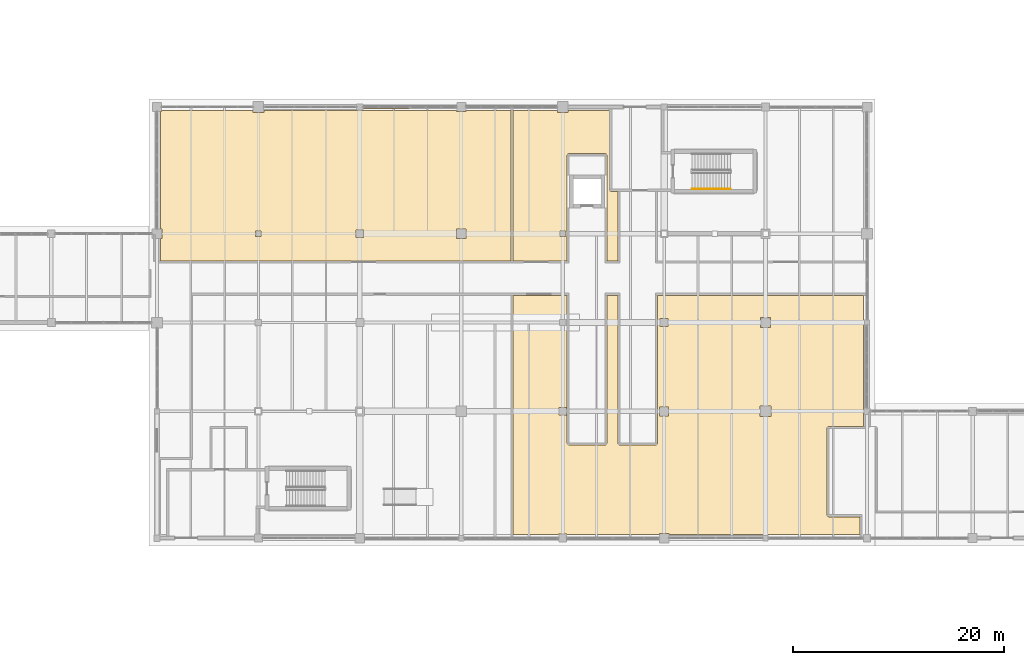
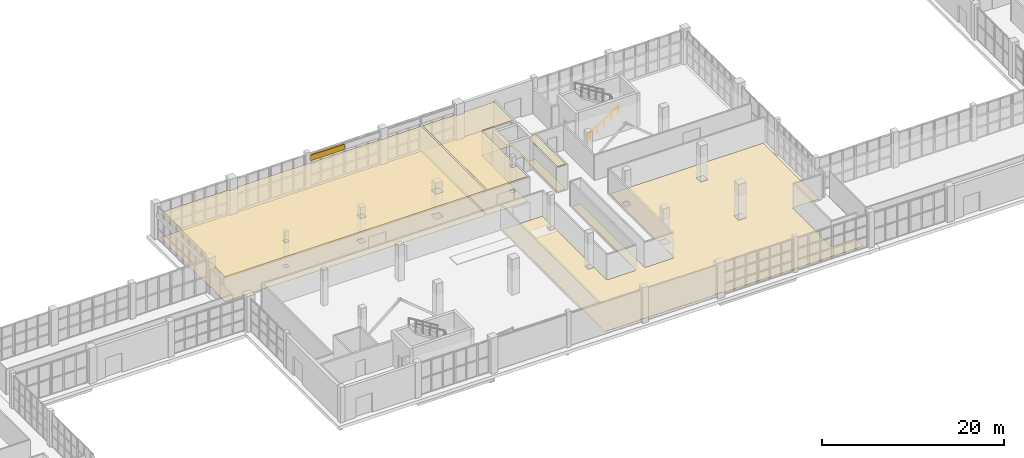
# One storey, part 112 of 121: 6 coverings, 1 railing.
"""IFC4 building model written with IfcOpenShell, lengths in metres."""

from ifc_helpers import new_model, si_unit, direction, frame, origin, origin_2d, place, context, subcontext, project, spatial, polyline, rectangle, circle, outline, extrude, material, layer, layer_set, type_object, element, save


model = new_model("IFC4")

# Units and contexts
model_context = context("Model", 3, precision=1e-05, world=origin(), true_north=direction((0.0, 1.0)))
body_context = subcontext(model_context, "Body", "Model", "MODEL_VIEW")
ifc_project = project(units=[si_unit("LENGTHUNIT", "METRE"), si_unit("AREAUNIT", "SQUARE_METRE"), si_unit("VOLUMEUNIT", "CUBIC_METRE"), si_unit("PLANEANGLEUNIT", "RADIAN"), si_unit("MASSUNIT", "GRAM", prefix="KILO")], contexts=[model_context])

# Site, building, storey
site_placement = place(None, origin())
site = spatial("IfcSite", under=ifc_project, at=site_placement, CompositionType="ELEMENT")
building_placement = place(site_placement, origin())
building = spatial("IfcBuilding", under=site, at=building_placement, Name="Zereglee Splitstone Museum", CompositionType="ELEMENT")
storey_placement = place(building_placement, origin())
storey = spatial("IfcBuildingStorey", under=building, at=storey_placement, Name="L00", CompositionType="ELEMENT", Elevation=0.0)

# Coverings
ifc_material_1 = material(Name="Siberian larch acoustic timber ceiling", Category="wood")
ifc_layer_1 = layer(ifc_material_1, 0.06005859375)
ifc_layer_set_1 = layer_set([ifc_layer_1], Name="Siberian larch acoustic timber ceiling")
covering_type_1 = type_object("IfcCoveringType", Name="CLG-01", PredefinedType="CEILING", material=ifc_layer_set_1)
covering_1_placement = place(storey_placement, frame((0.0, 0.0, 3.320068359375)))
element("IfcCovering", 1, at=covering_1_placement, inside=storey, type_object=covering_type_1, Name="Acoustic Ceiling L00-006", PredefinedType="CEILING", context=body_context, shape_type="SweptSolid", body=[
    extrude(outline(polyline([(78.340087890625, 37.94189453125), (78.4580078125, 37.94189453125), (78.4580078125, 38.85791015625), (78.340087890625, 38.85791015625), (78.340087890625, 49.967041015625), (78.43310546875, 49.967041015625), (78.43310546875, 50.06005859375), (87.092041015625, 50.06005859375), (87.092041015625, 49.89208984375), (88.10791015625, 49.89208984375), (88.10791015625, 50.06005859375), (106.366943359375, 50.06005859375), (106.366943359375, 49.967041015625), (107.23291015625, 49.967041015625), (107.23291015625, 50.06005859375), (111.5, 50.06005859375), (111.5, 35.830078125), (78.340087890625, 35.830078125), (78.340087890625, 37.94189453125)]), holes=[polyline([(87.342041015625, 38.657958984375), (87.342041015625, 38.14208984375), (87.85791015625, 38.14208984375), (87.85791015625, 38.657958984375), (87.342041015625, 38.657958984375)]), polyline([(106.342041015625, 38.85791015625), (106.342041015625, 37.94189453125), (107.258056640625, 37.94189453125), (107.258056640625, 38.85791015625), (106.342041015625, 38.85791015625)]), polyline([(96.842041015625, 38.758056640625), (96.842041015625, 38.0419921875), (97.55810546875, 38.0419921875), (97.55810546875, 38.758056640625), (96.842041015625, 38.758056640625)])]), origin(), (0.0, 0.0, 1.0), 0.059814453125),
])
covering_2_placement = place(storey_placement, frame((0.0, 0.0, 3.320068359375)))
element("IfcCovering", 2, at=covering_2_placement, inside=storey, type_object=covering_type_1, Name="Acoustic Ceiling L00-008", PredefinedType="CEILING", context=body_context, shape_type="SweptSolid", body=[
    extrude(outline(polyline([(120.820068359375, 42.60009765625), (120.820068359375, 42.59912109375), (120.82080078125, 42.583251953125), (120.821044921875, 42.581298828125), (120.8232421875, 42.56591796875), (120.82373046875, 42.56396484375), (120.827392578125, 42.548583984375), (120.828125, 42.546875), (120.833251953125, 42.531982421875), (120.833984375, 42.5302734375), (120.8408203125, 42.51611328125), (120.841796875, 42.514404296875), (120.849853515625, 42.500732421875), (120.850830078125, 42.499267578125), (120.8603515625, 42.486572265625), (120.861572265625, 42.485107421875), (120.8720703125, 42.473388671875), (120.873291015625, 42.471923828125), (120.885009765625, 42.46142578125), (120.88671875, 42.460205078125), (120.899169921875, 42.450927734375), (120.90087890625, 42.44970703125), (120.914306640625, 42.441650390625), (120.916015625, 42.44091796875), (120.93017578125, 42.43408203125), (120.931884765625, 42.433349609375), (120.94677734375, 42.427978515625), (120.94873046875, 42.427490234375), (120.9638671875, 42.423583984375), (120.9658203125, 42.42333984375), (120.9814453125, 42.4208984375), (120.9833984375, 42.4208984375), (120.9990234375, 42.419921875), (121.0, 42.419921875), (121.6201171875, 42.419921875), (121.6201171875, 35.830078125), (120.580078125, 35.830078125), (120.580078125, 45.800048828125), (120.580078125, 45.801025390625), (120.5791015625, 45.816650390625), (120.5791015625, 45.818603515625), (120.57666015625, 45.833984375), (120.576416015625, 45.836181640625), (120.572509765625, 45.851318359375), (120.572021484375, 45.853271484375), (120.566650390625, 45.867919921875), (120.56591796875, 45.869873046875), (120.55908203125, 45.884033203125), (120.558349609375, 45.8857421875), (120.55029296875, 45.899169921875), (120.549072265625, 45.90087890625), (120.539794921875, 45.913330078125), (120.53857421875, 45.914794921875), (120.528076171875, 45.926513671875), (120.526611328125, 45.927978515625), (120.514892578125, 45.9384765625), (120.513427734375, 45.939697265625), (120.500732421875, 45.94921875), (120.499267578125, 45.9501953125), (120.485595703125, 45.958251953125), (120.48388671875, 45.959228515625), (120.4697265625, 45.9658203125), (120.468017578125, 45.966796875), (120.453125, 45.971923828125), (120.451416015625, 45.972412109375), (120.43603515625, 45.976318359375), (120.43408203125, 45.976806640625), (120.418701171875, 45.97900390625), (120.416748046875, 45.979248046875), (120.40087890625, 45.97998046875), (120.39990234375, 45.97998046875), (117.0, 45.97998046875), (116.9990234375, 45.97998046875), (116.9833984375, 45.979248046875), (116.9814453125, 45.97900390625), (116.9658203125, 45.976806640625), (116.9638671875, 45.976318359375), (116.94873046875, 45.972412109375), (116.94677734375, 45.971923828125), (116.931884765625, 45.966796875), (116.93017578125, 45.9658203125), (116.916015625, 45.959228515625), (116.914306640625, 45.958251953125), (116.90087890625, 45.9501953125), (116.899169921875, 45.94921875), (116.88671875, 45.939697265625), (116.885009765625, 45.9384765625), (116.873291015625, 45.927978515625), (116.8720703125, 45.926513671875), (116.861572265625, 45.914794921875), (116.8603515625, 45.913330078125), (116.850830078125, 45.90087890625), (116.849853515625, 45.899169921875), (116.841796875, 45.8857421875), (116.8408203125, 45.884033203125), (116.833984375, 45.869873046875), (116.833251953125, 45.867919921875), (116.828125, 45.853271484375), (116.827392578125, 45.851318359375), (116.82373046875, 45.836181640625), (116.8232421875, 45.833984375), (116.821044921875, 45.818603515625), (116.82080078125, 45.816650390625), (116.820068359375, 45.801025390625), (116.820068359375, 45.800048828125), (116.820068359375, 35.830078125), (111.699951171875, 35.830078125), (111.699951171875, 50.06005859375), (115.89208984375, 50.06005859375), (115.89208984375, 49.89208984375), (116.907958984375, 49.89208984375), (116.907958984375, 50.06005859375), (120.820068359375, 50.06005859375), (120.820068359375, 42.60009765625)]), holes=[polyline([(116.657958984375, 38.657958984375), (116.14208984375, 38.657958984375), (116.14208984375, 38.14208984375), (116.657958984375, 38.14208984375), (116.657958984375, 38.657958984375)])]), origin(), (0.0, 0.0, 1.0), 0.059814453125),
])
ifc_material_2 = material(Name="Honed Gobi pale limestone stringcourse and soffit cladding", Category="masonry")
ifc_layer_2 = layer(ifc_material_2, 0.070068359375)
ifc_layer_set_2 = layer_set([ifc_layer_2], Name="Honed Gobi pale limestone stringcourse and soffit cladding")
covering_type_2 = type_object("IfcCoveringType", Name="CL-02", PredefinedType="CLADDING", material=ifc_layer_set_2)
covering_3_placement = place(storey_placement, frame((99.70263671875, 50.39990234375, 3.445068359375), z_axis=(0.0, 0.0, 1.0), x_axis=(-1.0, 0.0, 0.0)))
element("IfcCovering", 3, at=covering_3_placement, inside=storey, type_object=covering_type_2, Name="Mughal Carved Clerestory Jaali Frieze RC4-CW-L00-061-2", PredefinedType="CLADDING", context=body_context, shape_type="SweptSolid", body=[
    extrude(rectangle(XDim=4.31005859375, YDim=0.239990234375, at=origin_2d()), origin(), (0.0, 0.0, 1.0), 0.75),
])
ifc_material_3 = material(Name="Honed Gobi granite terrazzo flooring", Category="masonry")
ifc_layer_3 = layer(ifc_material_3, 0.030029296875)
ifc_layer_set_3 = layer_set([ifc_layer_3], Name="Honed Gobi granite terrazzo flooring")
covering_type_3 = type_object("IfcCoveringType", Name="FLR-01", PredefinedType="FLOORING", material=ifc_layer_set_3)
covering_4_placement = place(storey_placement, origin())
element("IfcCovering", 4, at=covering_4_placement, inside=storey, type_object=covering_type_3, Name="Terrazzo Gallery Flooring L00-002", PredefinedType="FLOORING", context=body_context, shape_type="SweptSolid", body=[
    extrude(outline(polyline([(141.59912109375, 20.179931640625), (141.583251953125, 20.17919921875), (141.581298828125, 20.178955078125), (141.56591796875, 20.1767578125), (141.56396484375, 20.17626953125), (141.548583984375, 20.172607421875), (141.546875, 20.171875), (141.531982421875, 20.166748046875), (141.5302734375, 20.166015625), (141.51611328125, 20.1591796875), (141.514404296875, 20.158203125), (141.500732421875, 20.150146484375), (141.499267578125, 20.149169921875), (141.486572265625, 20.1396484375), (141.485107421875, 20.138427734375), (141.473388671875, 20.1279296875), (141.471923828125, 20.126708984375), (141.46142578125, 20.114990234375), (141.460205078125, 20.11328125), (141.450927734375, 20.100830078125), (141.44970703125, 20.09912109375), (141.441650390625, 20.085693359375), (141.44091796875, 20.083984375), (141.43408203125, 20.06982421875), (141.433349609375, 20.068115234375), (141.427978515625, 20.05322265625), (141.427490234375, 20.05126953125), (141.423583984375, 20.0361328125), (141.42333984375, 20.0341796875), (141.4208984375, 20.0185546875), (141.4208984375, 20.0166015625), (141.419921875, 20.0009765625), (141.419921875, 20.0), (141.419921875, 11.800048828125), (141.419921875, 11.799072265625), (141.4208984375, 11.783203125), (141.4208984375, 11.781494140625), (141.42333984375, 11.765869140625), (141.423583984375, 11.763916015625), (141.427490234375, 11.748779296875), (141.427978515625, 11.746826171875), (141.433349609375, 11.73193359375), (141.43408203125, 11.730224609375), (141.44091796875, 11.716064453125), (141.441650390625, 11.71435546875), (141.44970703125, 11.70068359375), (141.450927734375, 11.69921875), (141.460205078125, 11.6865234375), (141.46142578125, 11.68505859375), (141.471923828125, 11.67333984375), (141.473388671875, 11.672119140625), (141.485107421875, 11.66162109375), (141.486572265625, 11.660400390625), (141.499267578125, 11.65087890625), (141.500732421875, 11.64990234375), (141.514404296875, 11.6416015625), (141.51611328125, 11.640869140625), (141.5302734375, 11.634033203125), (141.531982421875, 11.63330078125), (141.546875, 11.628173828125), (141.548583984375, 11.62744140625), (141.56396484375, 11.623779296875), (141.56591796875, 11.623291015625), (141.581298828125, 11.62109375), (141.583251953125, 11.620849609375), (141.59912109375, 11.6201171875), (141.60009765625, 11.6201171875), (144.52001953125, 11.6201171875), (144.52001953125, 9.93994140625), (126.4580078125, 9.93994140625), (126.4580078125, 10.05810546875), (125.5419921875, 10.05810546875), (125.5419921875, 9.93994140625), (116.782958984375, 9.93994140625), (116.782958984375, 9.98291015625), (116.01708984375, 9.98291015625), (116.01708984375, 9.93994140625), (111.699951171875, 9.93994140625), (111.699951171875, 32.570068359375), (116.820068359375, 32.570068359375), (116.820068359375, 18.60009765625), (116.820068359375, 18.59912109375), (116.82080078125, 18.583251953125), (116.821044921875, 18.581298828125), (116.8232421875, 18.56591796875), (116.82373046875, 18.56396484375), (116.827392578125, 18.548583984375), (116.828125, 18.546875), (116.833251953125, 18.531982421875), (116.833984375, 18.5302734375), (116.8408203125, 18.51611328125), (116.841796875, 18.514404296875), (116.849853515625, 18.500732421875), (116.850830078125, 18.499267578125), (116.8603515625, 18.486572265625), (116.861572265625, 18.485107421875), (116.8720703125, 18.473388671875), (116.873291015625, 18.471923828125), (116.885009765625, 18.46142578125), (116.88671875, 18.460205078125), (116.899169921875, 18.450927734375), (116.90087890625, 18.44970703125), (116.914306640625, 18.441650390625), (116.916015625, 18.44091796875), (116.93017578125, 18.43408203125), (116.931884765625, 18.433349609375), (116.94677734375, 18.427978515625), (116.94873046875, 18.427490234375), (116.9638671875, 18.423583984375), (116.9658203125, 18.42333984375), (116.9814453125, 18.4208984375), (116.9833984375, 18.4208984375), (116.9990234375, 18.419921875), (117.0, 18.419921875), (120.39990234375, 18.419921875), (120.40087890625, 18.419921875), (120.416748046875, 18.4208984375), (120.418701171875, 18.4208984375), (120.43408203125, 18.42333984375), (120.43603515625, 18.423583984375), (120.451416015625, 18.427490234375), (120.453125, 18.427978515625), (120.468017578125, 18.433349609375), (120.4697265625, 18.43408203125), (120.48388671875, 18.44091796875), (120.485595703125, 18.441650390625), (120.499267578125, 18.44970703125), (120.500732421875, 18.450927734375), (120.513427734375, 18.460205078125), (120.514892578125, 18.46142578125), (120.526611328125, 18.471923828125), (120.528076171875, 18.473388671875), (120.53857421875, 18.485107421875), (120.539794921875, 18.486572265625), (120.549072265625, 18.499267578125), (120.55029296875, 18.500732421875), (120.558349609375, 18.514404296875), (120.55908203125, 18.51611328125), (120.56591796875, 18.5302734375), (120.566650390625, 18.531982421875), (120.572021484375, 18.546875), (120.572509765625, 18.548583984375), (120.576416015625, 18.56396484375), (120.57666015625, 18.56591796875), (120.5791015625, 18.581298828125), (120.5791015625, 18.583251953125), (120.580078125, 18.59912109375), (120.580078125, 18.60009765625), (120.580078125, 32.570068359375), (121.6201171875, 32.570068359375), (121.6201171875, 18.60009765625), (121.6201171875, 18.59912109375), (121.620849609375, 18.583251953125), (121.62109375, 18.581298828125), (121.623291015625, 18.56591796875), (121.623779296875, 18.56396484375), (121.62744140625, 18.548583984375), (121.628173828125, 18.546875), (121.63330078125, 18.531982421875), (121.634033203125, 18.5302734375), (121.640869140625, 18.51611328125), (121.6416015625, 18.514404296875), (121.64990234375, 18.500732421875), (121.65087890625, 18.499267578125), (121.660400390625, 18.486572265625), (121.66162109375, 18.485107421875), (121.672119140625, 18.473388671875), (121.67333984375, 18.471923828125), (121.68505859375, 18.46142578125), (121.6865234375, 18.460205078125), (121.69921875, 18.450927734375), (121.70068359375, 18.44970703125), (121.71435546875, 18.441650390625), (121.716064453125, 18.44091796875), (121.730224609375, 18.43408203125), (121.73193359375, 18.433349609375), (121.746826171875, 18.427978515625), (121.748779296875, 18.427490234375), (121.763916015625, 18.423583984375), (121.765869140625, 18.42333984375), (121.781494140625, 18.4208984375), (121.783203125, 18.4208984375), (121.799072265625, 18.419921875), (121.800048828125, 18.419921875), (125.199951171875, 18.419921875), (125.200927734375, 18.419921875), (125.216796875, 18.4208984375), (125.218505859375, 18.4208984375), (125.234130859375, 18.42333984375), (125.236083984375, 18.423583984375), (125.251220703125, 18.427490234375), (125.253173828125, 18.427978515625), (125.26806640625, 18.433349609375), (125.269775390625, 18.43408203125), (125.283935546875, 18.44091796875), (125.28564453125, 18.441650390625), (125.29931640625, 18.44970703125), (125.30078125, 18.450927734375), (125.3134765625, 18.460205078125), (125.31494140625, 18.46142578125), (125.32666015625, 18.471923828125), (125.327880859375, 18.473388671875), (125.33837890625, 18.485107421875), (125.339599609375, 18.486572265625), (125.34912109375, 18.499267578125), (125.35009765625, 18.500732421875), (125.3583984375, 18.514404296875), (125.359130859375, 18.51611328125), (125.365966796875, 18.5302734375), (125.36669921875, 18.531982421875), (125.371826171875, 18.546875), (125.37255859375, 18.548583984375), (125.376220703125, 18.56396484375), (125.376708984375, 18.56591796875), (125.37890625, 18.581298828125), (125.379150390625, 18.583251953125), (125.3798828125, 18.59912109375), (125.3798828125, 18.60009765625), (125.3798828125, 32.570068359375), (144.860107421875, 32.570068359375), (144.860107421875, 20.179931640625), (141.60009765625, 20.179931640625), (141.59912109375, 20.179931640625)]), holes=[polyline([(116.0419921875, 21.9580078125), (116.0419921875, 21.241943359375), (116.758056640625, 21.241943359375), (116.758056640625, 21.9580078125), (116.0419921875, 21.9580078125)]), polyline([(125.56689453125, 22.032958984375), (125.56689453125, 21.1669921875), (126.43310546875, 21.1669921875), (126.43310546875, 22.032958984375), (125.56689453125, 22.032958984375)]), polyline([(136.10791015625, 22.10791015625), (135.092041015625, 22.10791015625), (135.092041015625, 21.092041015625), (136.10791015625, 21.092041015625), (136.10791015625, 22.10791015625)]), polyline([(136.05810546875, 30.4580078125), (135.14208984375, 30.4580078125), (135.14208984375, 29.5419921875), (136.05810546875, 29.5419921875), (136.05810546875, 30.4580078125)]), polyline([(126.383056640625, 30.383056640625), (125.616943359375, 30.383056640625), (125.616943359375, 29.616943359375), (126.383056640625, 29.616943359375), (126.383056640625, 30.383056640625)]), polyline([(116.092041015625, 30.30810546875), (116.092041015625, 29.69189453125), (116.7080078125, 29.69189453125), (116.7080078125, 30.30810546875), (116.092041015625, 30.30810546875)])]), origin(), (0.0, 0.0, 1.0), 0.030029296875),
])
covering_5_placement = place(storey_placement, origin())
element("IfcCovering", 5, at=covering_5_placement, inside=storey, type_object=covering_type_3, Name="Terrazzo Gallery Flooring L00-003", PredefinedType="FLOORING", context=body_context, shape_type="SweptSolid", body=[
    extrude(outline(polyline([(78.340087890625, 37.94189453125), (78.4580078125, 37.94189453125), (78.4580078125, 38.85791015625), (78.340087890625, 38.85791015625), (78.340087890625, 49.967041015625), (78.43310546875, 49.967041015625), (78.43310546875, 50.06005859375), (87.092041015625, 50.06005859375), (87.092041015625, 49.89208984375), (88.10791015625, 49.89208984375), (88.10791015625, 50.06005859375), (106.366943359375, 50.06005859375), (106.366943359375, 49.967041015625), (107.23291015625, 49.967041015625), (107.23291015625, 50.06005859375), (111.5, 50.06005859375), (111.5, 35.830078125), (78.340087890625, 35.830078125), (78.340087890625, 37.94189453125)]), holes=[polyline([(87.342041015625, 38.657958984375), (87.342041015625, 38.14208984375), (87.85791015625, 38.14208984375), (87.85791015625, 38.657958984375), (87.342041015625, 38.657958984375)]), polyline([(106.342041015625, 38.85791015625), (106.342041015625, 37.94189453125), (107.258056640625, 37.94189453125), (107.258056640625, 38.85791015625), (106.342041015625, 38.85791015625)]), polyline([(96.842041015625, 38.758056640625), (96.842041015625, 38.0419921875), (97.55810546875, 38.0419921875), (97.55810546875, 38.758056640625), (96.842041015625, 38.758056640625)])]), origin(), (0.0, 0.0, 1.0), 0.030029296875),
])
covering_6_placement = place(storey_placement, origin())
element("IfcCovering", 6, at=covering_6_placement, inside=storey, type_object=covering_type_3, Name="Terrazzo Gallery Flooring L00-005", PredefinedType="FLOORING", context=body_context, shape_type="SweptSolid", body=[
    extrude(outline(polyline([(120.820068359375, 42.60009765625), (120.820068359375, 42.59912109375), (120.82080078125, 42.583251953125), (120.821044921875, 42.581298828125), (120.8232421875, 42.56591796875), (120.82373046875, 42.56396484375), (120.827392578125, 42.548583984375), (120.828125, 42.546875), (120.833251953125, 42.531982421875), (120.833984375, 42.5302734375), (120.8408203125, 42.51611328125), (120.841796875, 42.514404296875), (120.849853515625, 42.500732421875), (120.850830078125, 42.499267578125), (120.8603515625, 42.486572265625), (120.861572265625, 42.485107421875), (120.8720703125, 42.473388671875), (120.873291015625, 42.471923828125), (120.885009765625, 42.46142578125), (120.88671875, 42.460205078125), (120.899169921875, 42.450927734375), (120.90087890625, 42.44970703125), (120.914306640625, 42.441650390625), (120.916015625, 42.44091796875), (120.93017578125, 42.43408203125), (120.931884765625, 42.433349609375), (120.94677734375, 42.427978515625), (120.94873046875, 42.427490234375), (120.9638671875, 42.423583984375), (120.9658203125, 42.42333984375), (120.9814453125, 42.4208984375), (120.9833984375, 42.4208984375), (120.9990234375, 42.419921875), (121.0, 42.419921875), (121.6201171875, 42.419921875), (121.6201171875, 35.830078125), (120.580078125, 35.830078125), (120.580078125, 45.800048828125), (120.580078125, 45.801025390625), (120.5791015625, 45.816650390625), (120.5791015625, 45.818603515625), (120.57666015625, 45.833984375), (120.576416015625, 45.836181640625), (120.572509765625, 45.851318359375), (120.572021484375, 45.853271484375), (120.566650390625, 45.867919921875), (120.56591796875, 45.869873046875), (120.55908203125, 45.884033203125), (120.558349609375, 45.8857421875), (120.55029296875, 45.899169921875), (120.549072265625, 45.90087890625), (120.539794921875, 45.913330078125), (120.53857421875, 45.914794921875), (120.528076171875, 45.926513671875), (120.526611328125, 45.927978515625), (120.514892578125, 45.9384765625), (120.513427734375, 45.939697265625), (120.500732421875, 45.94921875), (120.499267578125, 45.9501953125), (120.485595703125, 45.958251953125), (120.48388671875, 45.959228515625), (120.4697265625, 45.9658203125), (120.468017578125, 45.966796875), (120.453125, 45.971923828125), (120.451416015625, 45.972412109375), (120.43603515625, 45.976318359375), (120.43408203125, 45.976806640625), (120.418701171875, 45.97900390625), (120.416748046875, 45.979248046875), (120.40087890625, 45.97998046875), (120.39990234375, 45.97998046875), (117.0, 45.97998046875), (116.9990234375, 45.97998046875), (116.9833984375, 45.979248046875), (116.9814453125, 45.97900390625), (116.9658203125, 45.976806640625), (116.9638671875, 45.976318359375), (116.94873046875, 45.972412109375), (116.94677734375, 45.971923828125), (116.931884765625, 45.966796875), (116.93017578125, 45.9658203125), (116.916015625, 45.959228515625), (116.914306640625, 45.958251953125), (116.90087890625, 45.9501953125), (116.899169921875, 45.94921875), (116.88671875, 45.939697265625), (116.885009765625, 45.9384765625), (116.873291015625, 45.927978515625), (116.8720703125, 45.926513671875), (116.861572265625, 45.914794921875), (116.8603515625, 45.913330078125), (116.850830078125, 45.90087890625), (116.849853515625, 45.899169921875), (116.841796875, 45.8857421875), (116.8408203125, 45.884033203125), (116.833984375, 45.869873046875), (116.833251953125, 45.867919921875), (116.828125, 45.853271484375), (116.827392578125, 45.851318359375), (116.82373046875, 45.836181640625), (116.8232421875, 45.833984375), (116.821044921875, 45.818603515625), (116.82080078125, 45.816650390625), (116.820068359375, 45.801025390625), (116.820068359375, 45.800048828125), (116.820068359375, 35.830078125), (111.699951171875, 35.830078125), (111.699951171875, 50.06005859375), (115.89208984375, 50.06005859375), (115.89208984375, 49.89208984375), (116.907958984375, 49.89208984375), (116.907958984375, 50.06005859375), (120.820068359375, 50.06005859375), (120.820068359375, 42.60009765625)]), holes=[polyline([(116.657958984375, 38.657958984375), (116.14208984375, 38.657958984375), (116.14208984375, 38.14208984375), (116.657958984375, 38.14208984375), (116.657958984375, 38.657958984375)])]), origin(), (0.0, 0.0, 1.0), 0.030029296875),
])

# Railing
ifc_material_4 = material(Name="Architectural bronze tubular handrail", Category="steel")
railing_type = type_object("IfcRailingType", Name="HR-01", PredefinedType="HANDRAIL", material=ifc_material_4)
railing_placement = place(storey_placement, frame((128.64990234375, 42.64990234375, 0.17138671875)))
element("IfcRailing", 7, at=railing_placement, inside=storey, type_object=railing_type, Name="L00 ST-03 stair handrail 1", PredefinedType="HANDRAIL", context=body_context, shape_type="SweptSolid", body=[
    extrude(circle(Radius=0.02392578125, at=origin_2d()), frame((0.0, 0.0, 0.8759765625), z_axis=(0.852865859571, 0.0, 0.52213008492), x_axis=(0.0, 1.0, 0.0)), (0.0, 0.0, 1.0), 4.26806640625),
    extrude(circle(Radius=0.02099609375, at=origin_2d()), origin(), (0.0, 0.0, 1.0), 0.851806640625),
    extrude(circle(Radius=0.02099609375, at=origin_2d()), frame((0.91015625, 0.0, 0.55712890625)), (0.0, 0.0, 1.0), 0.851806640625),
    extrude(circle(Radius=0.02099609375, at=origin_2d()), frame((1.820068359375, 0.0, 1.1142578125)), (0.0, 0.0, 1.0), 0.851806640625),
    extrude(circle(Radius=0.02099609375, at=origin_2d()), frame((2.72998046875, 0.0, 1.67138671875)), (0.0, 0.0, 1.0), 0.851806640625),
    extrude(circle(Radius=0.02099609375, at=origin_2d()), frame((3.64013671875, 0.0, 2.228515625)), (0.0, 0.0, 1.0), 0.851806640625),
])

save(model, "model.ifc")
